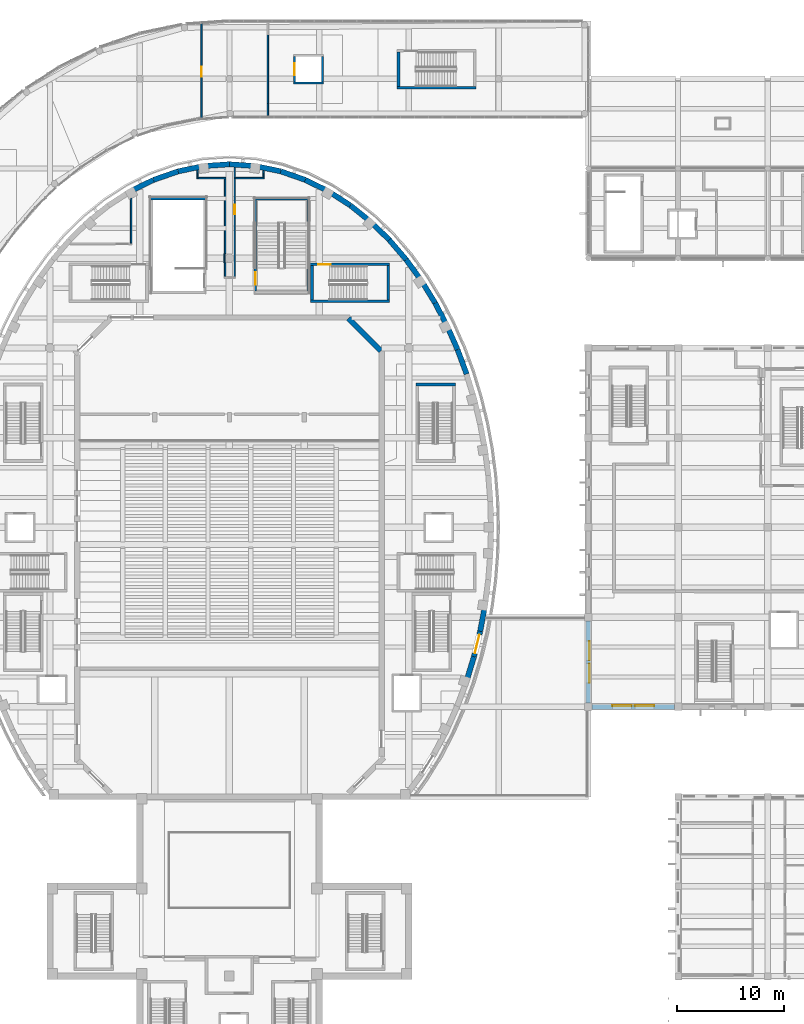
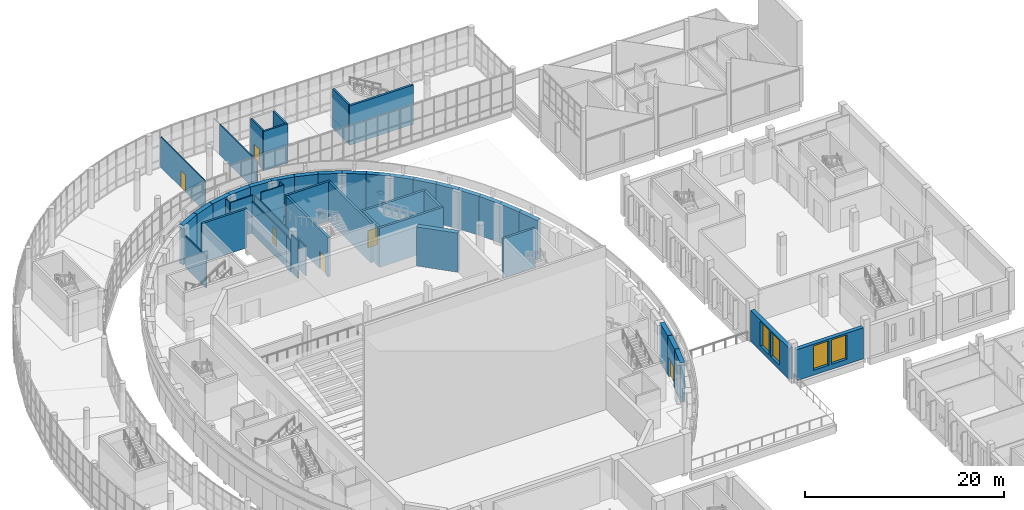
# One storey, part 68 of 119: 49 walls, 6 doors, 4 windows, 10 openings.
"""IFC4 building model written with IfcOpenShell, lengths in metres."""

from ifc_helpers import new_model, si_unit, direction, frame, frame_2d, origin, place, context, subcontext, project, spatial, rectangle, extrude, material, layer, layer_set, type_object, element, fill, save


model = new_model("IFC4")

# Units and contexts
model_context = context("Model", 3, precision=1e-05, world=origin(), true_north=direction((0.0, 1.0)))
body_context = subcontext(model_context, "Body", "Model", "MODEL_VIEW")
ifc_project = project(units=[si_unit("LENGTHUNIT", "METRE"), si_unit("AREAUNIT", "SQUARE_METRE"), si_unit("VOLUMEUNIT", "CUBIC_METRE"), si_unit("PLANEANGLEUNIT", "RADIAN"), si_unit("MASSUNIT", "GRAM", prefix="KILO")], contexts=[model_context])

# Site, building, storey
site_placement = place(None, origin())
site = spatial("IfcSite", under=ifc_project, at=site_placement, CompositionType="ELEMENT")
building_placement = place(site_placement, origin())
building = spatial("IfcBuilding", under=site, at=building_placement, Name="Larchfold Concert Hall", CompositionType="ELEMENT")
storey_placement = place(building_placement, frame((0.0, 0.0, 4.800048828125)))
storey = spatial("IfcBuildingStorey", under=building, at=storey_placement, Name="L01", CompositionType="ELEMENT", Elevation=4.800048828125)

# Wall, openings, windows
ifc_material_1 = material(Name="Charred larch cladding on mineral wool and CLT", Category="wood")
ifc_layer_1 = layer(ifc_material_1, 0.449951171875)
ifc_layer_set_1 = layer_set([ifc_layer_1], Name="Charred larch cladding on mineral wool and CLT")
wall_type_1 = type_object("IfcWallType", Name="Charred larch infill wall 450", PredefinedType="SOLIDWALL", material=ifc_layer_set_1)
wall_1_placement = place(storey_placement, frame((76.199951171875, 75.849853515625, 0.0), z_axis=(0.0, 0.0, 1.0), x_axis=(0.0, -1.0, 0.0)))
wall_1 = element("IfcWall", 1, at=wall_1_placement, inside=storey, type_object=wall_type_1, Name="Infill wall W5084", PredefinedType="SOLIDWALL", context=body_context, shape_type="SweptSolid", body=[
    extrude(rectangle(XDim=7.69970703125, YDim=0.449951171875, at=frame_2d((3.849853515625, 0.0))), origin(), (0.0, 0.0, 1.0), 3.800048828125),
])
opening_1_placement = place(wall_1_placement, frame((3.999755859375, 0.0, 0.60009765625)))
opening_1 = element("IfcOpeningElement", 2, at=opening_1_placement, cuts=wall_1, Name="Opening WN-L01-049", PredefinedType="OPENING", context=body_context, shape_type="SweptSolid", body=[
    extrude(rectangle(XDim=1.800048828125, YDim=3.0, at=frame_2d((0.89990234375, 1.5))), frame((0.0, 0.23486328125, 0.0), z_axis=(0.0, -1.0, 0.0), x_axis=(1.0, 0.0, 0.0)), (0.0, 0.0, 1.0), 0.469970703125),
])
opening_2_placement = place(wall_1_placement, frame((1.89990234375, 0.0, 0.60009765625)))
opening_2 = element("IfcOpeningElement", 3, at=opening_2_placement, cuts=wall_1, Name="Opening WN-L01-050", PredefinedType="OPENING", context=body_context, shape_type="SweptSolid", body=[
    extrude(rectangle(XDim=1.800048828125, YDim=3.0, at=frame_2d((0.89990234375, 1.5))), frame((0.0, 0.23486328125, 0.0), z_axis=(0.0, -1.0, 0.0), x_axis=(1.0, 0.0, 0.0)), (0.0, 0.0, 1.0), 0.469970703125),
])
ifc_material_2 = material(Name="Anodised graphite aluminium frame with glass", Category="aluminium")
window_type = type_object("IfcWindowType", Name="Foyer tall window 1800x3000", PartitioningType="DOUBLE_PANEL_VERTICAL", PredefinedType="WINDOW", material=ifc_material_2)
window_1_placement = place(opening_1_placement, origin())
window_1 = element("IfcWindow", 4, at=window_1_placement, inside=storey, type_object=window_type, Name="Window WN-L01-049", OverallHeight=3.0, OverallWidth=1.800048828125, PartitioningType="DOUBLE_PANEL_VERTICAL", PredefinedType="WINDOW", context=body_context, shape_type="SweptSolid", body=[
    extrude(rectangle(XDim=1.800048828125, YDim=3.0, at=frame_2d((0.89990234375, 1.5))), frame((0.0, 0.135009765625, 0.0), z_axis=(0.0, -1.0, 0.0), x_axis=(1.0, 0.0, 0.0)), (0.0, 0.0, 1.0), 0.06005859375),
])
fill(opening_1, window_1)
window_2_placement = place(opening_2_placement, origin())
window_2 = element("IfcWindow", 5, at=window_2_placement, inside=storey, type_object=window_type, Name="Window WN-L01-050", OverallHeight=3.0, OverallWidth=1.800048828125, PartitioningType="DOUBLE_PANEL_VERTICAL", PredefinedType="WINDOW", context=body_context, shape_type="SweptSolid", body=[
    extrude(rectangle(XDim=1.800048828125, YDim=3.0, at=frame_2d((0.89990234375, 1.5))), frame((0.0, 0.135009765625, 0.0), z_axis=(0.0, -1.0, 0.0), x_axis=(1.0, 0.0, 0.0)), (0.0, 0.0, 1.0), 0.06005859375),
])
fill(opening_2, window_2)

wall_2_placement = place(storey_placement, frame((76.550048828125, 67.800048828125, 0.0), z_axis=(0.0, 0.0, 1.0), x_axis=(1.0, 0.0, 0.0)))
wall_2 = element("IfcWall", 6, at=wall_2_placement, inside=storey, type_object=wall_type_1, Name="Infill wall W5085", PredefinedType="SOLIDWALL", context=body_context, shape_type="SweptSolid", body=[
    extrude(rectangle(XDim=7.699951171875, YDim=0.449951171875, at=frame_2d((3.85009765625, 0.0))), origin(), (0.0, 0.0, 1.0), 3.800048828125),
])
opening_3_placement = place(wall_2_placement, frame((1.89990234375, 0.0, 0.60009765625)))
opening_3 = element("IfcOpeningElement", 7, at=opening_3_placement, cuts=wall_2, Name="Opening WN-L01-051", PredefinedType="OPENING", context=body_context, shape_type="SweptSolid", body=[
    extrude(rectangle(XDim=1.800048828125, YDim=3.0, at=frame_2d((0.89990234375, 1.5))), frame((0.0, 0.23486328125, 0.0), z_axis=(0.0, -1.0, 0.0), x_axis=(1.0, 0.0, 0.0)), (0.0, 0.0, 1.0), 0.469970703125),
])
opening_4_placement = place(wall_2_placement, frame((4.0, 0.0, 0.60009765625)))
opening_4 = element("IfcOpeningElement", 8, at=opening_4_placement, cuts=wall_2, Name="Opening WN-L01-052", PredefinedType="OPENING", context=body_context, shape_type="SweptSolid", body=[
    extrude(rectangle(XDim=1.800048828125, YDim=3.0, at=frame_2d((0.89990234375, 1.5))), frame((0.0, 0.23486328125, 0.0), z_axis=(0.0, -1.0, 0.0), x_axis=(1.0, 0.0, 0.0)), (0.0, 0.0, 1.0), 0.469970703125),
])
window_3_placement = place(opening_3_placement, origin())
window_3 = element("IfcWindow", 9, at=window_3_placement, inside=storey, type_object=window_type, Name="Window WN-L01-051", OverallHeight=3.0, OverallWidth=1.800048828125, PartitioningType="DOUBLE_PANEL_VERTICAL", PredefinedType="WINDOW", context=body_context, shape_type="SweptSolid", body=[
    extrude(rectangle(XDim=1.800048828125, YDim=3.0, at=frame_2d((0.89990234375, 1.5))), frame((0.0, 0.135009765625, 0.0), z_axis=(0.0, -1.0, 0.0), x_axis=(1.0, 0.0, 0.0)), (0.0, 0.0, 1.0), 0.06005859375),
])
fill(opening_3, window_3)
window_4_placement = place(opening_4_placement, origin())
window_4 = element("IfcWindow", 10, at=window_4_placement, inside=storey, type_object=window_type, Name="Window WN-L01-052", OverallHeight=3.0, OverallWidth=1.800048828125, PartitioningType="DOUBLE_PANEL_VERTICAL", PredefinedType="WINDOW", context=body_context, shape_type="SweptSolid", body=[
    extrude(rectangle(XDim=1.800048828125, YDim=3.0, at=frame_2d((0.89990234375, 1.5))), frame((0.0, 0.135009765625, 0.0), z_axis=(0.0, -1.0, 0.0), x_axis=(1.0, 0.0, 0.0)), (0.0, 0.0, 1.0), 0.06005859375),
])
fill(opening_4, window_4)

# Walls
ifc_material_3 = material(Name="Plasterboard partition on steel studs", Category="steel")
ifc_layer_2 = layer(ifc_material_3, 0.125)
ifc_layer_set_2 = layer_set([ifc_layer_2], Name="Plasterboard partition on steel studs")
wall_type_2 = type_object("IfcWallType", Name="Corridor partition 125 EI 60", PredefinedType="PARTITIONING", material=ifc_layer_set_2)
wall_3_placement = place(storey_placement, frame((33.39599609375, 111.21337890625, 0.0), z_axis=(0.0, 0.0, 1.0), x_axis=(0.001102983191, 0.999999391714, 0.0)))
element("IfcWall", 11, at=wall_3_placement, inside=storey, type_object=wall_type_2, Name="Partition IW0007", PredefinedType="PARTITIONING", context=body_context, shape_type="SweptSolid", body=[
    extrude(rectangle(XDim=4.20556640625, YDim=0.125, at=frame_2d((2.102783203125, 0.0))), origin(), (0.0, 0.0, 1.0), 3.89990234375),
])
wall_4_placement = place(storey_placement, frame((39.60107421875, 118.049072265625, 0.0), z_axis=(0.0, 0.0, 1.0), x_axis=(0.009314499757, -0.999956619106, 0.0)))
element("IfcWall", 12, at=wall_4_placement, inside=storey, type_object=wall_type_2, Name="Partition IW0008", PredefinedType="PARTITIONING", context=body_context, shape_type="SweptSolid", body=[
    extrude(rectangle(XDim=0.8125, YDim=0.125, at=frame_2d((0.40625, 0.0))), origin(), (0.0, 0.0, 1.0), 4.599853515625),
])
wall_5_placement = place(storey_placement, frame((39.67041015625, 117.299072265625, 0.0), z_axis=(0.0, 0.0, 1.0), x_axis=(1.0, 0.0, 0.0)))
element("IfcWall", 13, at=wall_5_placement, inside=storey, type_object=wall_type_2, Name="Partition IW0009", PredefinedType="PARTITIONING", context=body_context, shape_type="SweptSolid", body=[
    extrude(rectangle(XDim=2.591064453125, YDim=0.125, at=frame_2d((1.29541015625, 0.0))), origin(), (0.0, 0.0, 1.0), 4.599853515625),
])
wall_6_placement = place(storey_placement, frame((42.198974609375, 117.236572265625, 0.0), z_axis=(0.0, 0.0, 1.0), x_axis=(0.0, -1.0, 0.0)))
element("IfcWall", 14, at=wall_6_placement, inside=storey, type_object=wall_type_2, Name="Partition IW0010", PredefinedType="PARTITIONING", context=body_context, shape_type="SweptSolid", body=[
    extrude(rectangle(XDim=7.0166015625, YDim=0.125, at=frame_2d((3.50830078125, 0.0))), origin(), (0.0, 0.0, 1.0), 3.89990234375),
])
wall_7_placement = place(storey_placement, frame((42.198974609375, 109.380126953125, 0.0), z_axis=(0.0, 0.0, 1.0), x_axis=(0.0, -1.0, 0.0)))
element("IfcWall", 15, at=wall_7_placement, inside=storey, type_object=wall_type_2, Name="Partition IW0011", PredefinedType="PARTITIONING", context=body_context, shape_type="SweptSolid", body=[
    extrude(rectangle(XDim=1.30859375, YDim=0.125, at=frame_2d((0.654296875, 0.0))), origin(), (0.0, 0.0, 1.0), 4.599853515625),
])

# Wall, opening, door
wall_8_placement = place(storey_placement, frame((43.093994140625, 108.0634765625, 0.0), z_axis=(0.0, 0.0, 1.0), x_axis=(0.000762467314, 0.999999709322, 0.0)))
wall_8 = element("IfcWall", 16, at=wall_8_placement, inside=storey, type_object=wall_type_2, Name="Partition IW0013", PredefinedType="PARTITIONING", context=body_context, shape_type="SweptSolid", body=[
    extrude(rectangle(XDim=10.246337890625, YDim=0.125, at=frame_2d((5.123046875, 0.0))), origin(), (0.0, 0.0, 1.0), 3.599853515625),
])
opening_5_placement = place(wall_8_placement, frame((5.839599609375, 0.0, 0.0)))
opening_5 = element("IfcOpeningElement", 17, at=opening_5_placement, cuts=wall_8, Name="Opening D-L01-114", PredefinedType="OPENING", context=body_context, shape_type="SweptSolid", body=[
    extrude(rectangle(XDim=0.89990234375, YDim=2.10009765625, at=frame_2d((0.449951171875, 1.050048828125))), frame((0.0, 0.072509765625, 0.0), z_axis=(0.0, -1.0, 0.0), x_axis=(1.0, 0.0, 0.0)), (0.0, 0.0, 1.0), 0.14501953125),
])
ifc_material_4 = material(Name="Timber door leaf", Category="wood")
door_type_1 = type_object("IfcDoorType", Name="Public toilet door 900 x 2100 FD30S", OperationType="SINGLE_SWING_LEFT", PredefinedType="DOOR", material=ifc_material_4)
door_1_placement = place(opening_5_placement, origin())
door_1 = element("IfcDoor", 18, at=door_1_placement, inside=storey, type_object=door_type_1, Name="Door D-L01-114", OperationType="SINGLE_SWING_LEFT", OverallHeight=2.10009765625, OverallWidth=0.89990234375, PredefinedType="DOOR", context=body_context, shape_type="SweptSolid", body=[
    extrude(rectangle(XDim=0.89990234375, YDim=2.10009765625, at=frame_2d((0.449951171875, 1.050048828125))), frame((0.0, 0.02490234375, 0.0), z_axis=(0.0, -1.0, 0.0), x_axis=(1.0, 0.0, 0.0)), (0.0, 0.0, 1.0), 0.050048828125),
])
fill(opening_5, door_1)

# Walls
wall_9_placement = place(storey_placement, frame((43.16357421875, 117.299072265625, 0.0), z_axis=(0.0, 0.0, 1.0), x_axis=(1.0, 0.0, 0.0)))
element("IfcWall", 19, at=wall_9_placement, inside=storey, type_object=wall_type_2, Name="Partition IW0014", PredefinedType="PARTITIONING", context=body_context, shape_type="SweptSolid", body=[
    extrude(rectangle(XDim=2.69091796875, YDim=0.125, at=frame_2d((1.345458984375, 0.0))), origin(), (0.0, 0.0, 1.0), 4.599853515625),
])
wall_10_placement = place(storey_placement, frame((45.792724609375, 117.361572265625, 0.0), z_axis=(0.0, 0.0, 1.0), x_axis=(0.010967570264, 0.999939854393, 0.0)))
element("IfcWall", 20, at=wall_10_placement, inside=storey, type_object=wall_type_2, Name="Partition IW0015", PredefinedType="PARTITIONING", context=body_context, shape_type="SweptSolid", body=[
    extrude(rectangle(XDim=0.6455078125, YDim=0.125, at=frame_2d((0.32275390625, 0.0))), origin(), (0.0, 0.0, 1.0), 4.599853515625),
])
wall_11_placement = place(storey_placement, frame((46.199951171875, 130.73095703125, 0.0), z_axis=(0.0, 0.0, 1.0), x_axis=(0.0, -1.0, 0.0)))
element("IfcWall", 21, at=wall_11_placement, inside=storey, type_object=wall_type_2, Name="Partition IW0150", PredefinedType="PARTITIONING", context=body_context, shape_type="SweptSolid", body=[
    extrude(rectangle(XDim=6.4619140625, YDim=0.125, at=frame_2d((3.23095703125, 0.0))), origin(), (0.0, 0.0, 1.0), 3.75),
])
wall_12_placement = place(storey_placement, frame((46.199951171875, 124.26611328125, 0.0), z_axis=(0.0, 0.0, 1.0), x_axis=(0.0, -1.0, 0.0)))
element("IfcWall", 22, at=wall_12_placement, inside=storey, type_object=wall_type_2, Name="Partition IW0152", PredefinedType="PARTITIONING", context=body_context, shape_type="SweptSolid", body=[
    extrude(rectangle(XDim=1.1162109375, YDim=0.125, at=frame_2d((0.55810546875, 0.0))), origin(), (0.0, 0.0, 1.0), 3.75),
])

# Wall, opening, door
wall_13_placement = place(storey_placement, frame((40.0, 122.91162109375, 0.0), z_axis=(0.0, 0.0, 1.0), x_axis=(0.0, 1.0, 0.0)))
wall_13 = element("IfcWall", 23, at=wall_13_placement, inside=storey, type_object=wall_type_2, Name="Partition IW0153", PredefinedType="PARTITIONING", context=body_context, shape_type="SweptSolid", body=[
    extrude(rectangle(XDim=8.86083984375, YDim=0.125, at=frame_2d((4.430419921875, 0.0))), origin(), (0.0, 0.0, 1.0), 3.75),
])
opening_6_placement = place(wall_13_placement, frame((3.901123046875, 0.0, 0.0)))
opening_6 = element("IfcOpeningElement", 24, at=opening_6_placement, cuts=wall_13, Name="Opening D-L01-158", PredefinedType="OPENING", context=body_context, shape_type="SweptSolid", body=[
    extrude(rectangle(XDim=0.89990234375, YDim=2.10009765625, at=frame_2d((0.449951171875, 1.050048828125))), frame((0.0, 0.072509765625, 0.0), z_axis=(0.0, -1.0, 0.0), x_axis=(1.0, 0.0, 0.0)), (0.0, 0.0, 1.0), 0.14501953125),
])
door_2_placement = place(opening_6_placement, origin())
door_2 = element("IfcDoor", 25, at=door_2_placement, inside=storey, type_object=door_type_1, Name="Door D-L01-158", OperationType="SINGLE_SWING_RIGHT", OverallHeight=2.10009765625, OverallWidth=0.89990234375, PredefinedType="DOOR", context=body_context, shape_type="SweptSolid", body=[
    extrude(rectangle(XDim=0.89990234375, YDim=2.10009765625, at=frame_2d((0.449951171875, 1.050048828125))), frame((0.0, 0.02490234375, 0.0), z_axis=(0.0, -1.0, 0.0), x_axis=(1.0, 0.0, 0.0)), (0.0, 0.0, 1.0), 0.050048828125),
])
fill(opening_6, door_2)

# Walls
wall_14_placement = place(storey_placement, frame((42.134033203125, 110.219970703125, 0.0), z_axis=(0.0, 0.0, 1.0), x_axis=(0.0, -1.0, 0.0)))
element("IfcWall", 26, at=wall_14_placement, inside=storey, type_object=wall_type_2, Name="Partition IW0154", PredefinedType="PARTITIONING", context=body_context, shape_type="SweptSolid", body=[
    extrude(rectangle(XDim=0.83984375, YDim=0.125, at=frame_2d((0.419921875, 0.0))), origin(), (0.0, 0.0, 1.0), 3.89990234375),
])
ifc_material_5 = material(Name="Concrete C40/50", Category="concrete")
ifc_layer_3 = layer(ifc_material_5, 0.199951171875)
ifc_layer_set_3 = layer_set([ifc_layer_3], Name="Concrete C40/50")
wall_type_3 = type_object("IfcWallType", Name="Wall RC 200 lift shaft", PredefinedType="SOLIDWALL", material=ifc_layer_set_3)
wall_15_placement = place(storey_placement, frame((48.60009765625, 126.2001953125, 0.0), z_axis=(0.0, 0.0, 1.0), x_axis=(1.0, 0.0, 0.0)))
element("IfcWall", 27, at=wall_15_placement, inside=storey, type_object=wall_type_3, Name="Wall W0192", PredefinedType="SOLIDWALL", context=body_context, shape_type="SweptSolid", body=[
    extrude(rectangle(XDim=2.7998046875, YDim=0.199951171875, at=frame_2d((1.39990234375, 0.0))), origin(), (0.0, 0.0, 1.0), 4.800048828125),
])

# Wall, opening, door
wall_16_placement = place(storey_placement, frame((48.7001953125, 126.300048828125, 0.0), z_axis=(0.0, 0.0, 1.0), x_axis=(0.0, 1.0, 0.0)))
wall_16 = element("IfcWall", 28, at=wall_16_placement, inside=storey, type_object=wall_type_3, Name="Wall W0194", PredefinedType="SOLIDWALL", context=body_context, shape_type="SweptSolid", body=[
    extrude(rectangle(XDim=2.39990234375, YDim=0.199951171875, at=frame_2d((1.199951171875, 0.0))), origin(), (0.0, 0.0, 1.0), 4.800048828125),
])
opening_7_placement = place(wall_16_placement, frame((0.64990234375, 0.0, 0.0)))
opening_7 = element("IfcOpeningElement", 29, at=opening_7_placement, cuts=wall_16, Name="Opening LD-LF13", PredefinedType="OPENING", context=body_context, shape_type="SweptSolid", body=[
    extrude(rectangle(XDim=1.10009765625, YDim=2.10009765625, at=frame_2d((0.550048828125, 1.050048828125))), frame((0.0, 0.10986328125, 0.0), z_axis=(0.0, -1.0, 0.0), x_axis=(1.0, 0.0, 0.0)), (0.0, 0.0, 1.0), 0.219970703125),
])
ifc_material_6 = material(Name="Stainless steel sliding leaves", Category="steel")
door_type_2 = type_object("IfcDoorType", Name="Lift landing door sliding 1100 x 2100", OperationType="SLIDING_TO_LEFT", PredefinedType="DOOR", material=ifc_material_6)
door_3_placement = place(opening_7_placement, origin())
door_3 = element("IfcDoor", 30, at=door_3_placement, inside=storey, type_object=door_type_2, Name="Lift landing door LF13", OperationType="SLIDING_TO_LEFT", OverallHeight=2.10009765625, OverallWidth=1.10009765625, PredefinedType="DOOR", context=body_context, shape_type="SweptSolid", body=[
    extrude(rectangle(XDim=1.10009765625, YDim=2.10009765625, at=frame_2d((0.550048828125, 1.050048828125))), frame((0.0, 0.02490234375, 0.0), z_axis=(0.0, -1.0, 0.0), x_axis=(1.0, 0.0, 0.0)), (0.0, 0.0, 1.0), 0.050048828125),
])
fill(opening_7, door_3)

# Walls
wall_17_placement = place(storey_placement, frame((51.2998046875, 126.300048828125, 0.0), z_axis=(0.0, 0.0, 1.0), x_axis=(0.0, 1.0, 0.0)))
element("IfcWall", 31, at=wall_17_placement, inside=storey, type_object=wall_type_3, Name="Wall W0195", PredefinedType="SOLIDWALL", context=body_context, shape_type="SweptSolid", body=[
    extrude(rectangle(XDim=2.39990234375, YDim=0.199951171875, at=frame_2d((1.199951171875, 0.0))), origin(), (0.0, 0.0, 1.0), 4.800048828125),
])
ifc_material_7 = material(Name="Concrete C40/50", Category="concrete")
ifc_layer_4 = layer(ifc_material_7, 0.25)
ifc_layer_set_4 = layer_set([ifc_layer_4], Name="Concrete C40/50")
wall_type_4 = type_object("IfcWallType", Name="Wall RC 250 stair core", PredefinedType="SOLIDWALL", material=ifc_layer_set_4)
wall_18_placement = place(storey_placement, frame((60.050048828125, 97.97509765625, 0.0), z_axis=(0.0, 0.0, 1.0), x_axis=(1.0, 0.0, 0.0)))
element("IfcWall", 32, at=wall_18_placement, inside=storey, type_object=wall_type_4, Name="Wall W0033", PredefinedType="SOLIDWALL", context=body_context, shape_type="SweptSolid", body=[
    extrude(rectangle(XDim=3.699951171875, YDim=0.25, at=frame_2d((1.85009765625, 0.0))), origin(), (0.0, 0.0, 1.0), 4.800048828125),
])
wall_19_placement = place(storey_placement, frame((50.199951171875, 105.77490234375, 0.0), z_axis=(0.0, 0.0, 1.0), x_axis=(1.0, 0.0, 0.0)))
element("IfcWall", 33, at=wall_19_placement, inside=storey, type_object=wall_type_4, Name="Wall W0036", PredefinedType="SOLIDWALL", context=body_context, shape_type="SweptSolid", body=[
    extrude(rectangle(XDim=7.400146484375, YDim=0.25, at=frame_2d((3.7001953125, 0.0))), origin(), (0.0, 0.0, 1.0), 4.800048828125),
])

# Wall, opening, door
wall_20_placement = place(storey_placement, frame((50.10009765625, 109.22509765625, 0.0), z_axis=(0.0, 0.0, 1.0), x_axis=(1.0, 0.0, 0.0)))
wall_20 = element("IfcWall", 34, at=wall_20_placement, inside=storey, type_object=wall_type_4, Name="Wall W0037", PredefinedType="SOLIDWALL", context=body_context, shape_type="SweptSolid", body=[
    extrude(rectangle(XDim=7.5, YDim=0.25, at=frame_2d((3.75, 0.0))), origin(), (0.0, 0.0, 1.0), 4.800048828125),
])
opening_8_placement = place(wall_20_placement, frame((0.80029296875, 0.0, 0.0)))
opening_8 = element("IfcOpeningElement", 35, at=opening_8_placement, cuts=wall_20, Name="Opening D-L01-166", PredefinedType="OPENING", context=body_context, shape_type="SweptSolid", body=[
    extrude(rectangle(XDim=1.199951171875, YDim=2.10009765625, at=frame_2d((0.60009765625, 1.050048828125))), frame((0.0, 0.135009765625, 0.0), z_axis=(0.0, -1.0, 0.0), x_axis=(1.0, 0.0, 0.0)), (0.0, 0.0, 1.0), 0.27001953125),
])
ifc_material_8 = material(Name="Timber door leaf", Category="wood")
door_type_3 = type_object("IfcDoorType", Name="Stair enclosure door pair 1200 x 2100 FD60", OperationType="SINGLE_SWING_LEFT", PredefinedType="DOOR", material=ifc_material_8)
door_4_placement = place(opening_8_placement, origin())
door_4 = element("IfcDoor", 36, at=door_4_placement, inside=storey, type_object=door_type_3, Name="Door D-L01-166", OperationType="DOUBLE_DOOR_SINGLE_SWING", OverallHeight=2.10009765625, OverallWidth=1.199951171875, PredefinedType="DOOR", context=body_context, shape_type="SweptSolid", body=[
    extrude(rectangle(XDim=1.199951171875, YDim=2.10009765625, at=frame_2d((0.60009765625, 1.050048828125))), frame((0.0, 0.02490234375, 0.0), z_axis=(0.0, -1.0, 0.0), x_axis=(1.0, 0.0, 0.0)), (0.0, 0.0, 1.0), 0.050048828125),
])
fill(opening_8, door_4)

# Walls
for number, where, z_axis, x_axis, name in (
    (37, (50.324951171875, 105.89990234375, 0.0), (0.0, 0.0, 1.0), (0.0, 1.0, 0.0), "Wall W0038"),
    (38, (57.47509765625, 105.89990234375, 0.0), (0.0, 0.0, 1.0), (0.0, 1.0, 0.0), "Wall W0039"),
):
    element("IfcWall", number, at=place(storey_placement, frame(where, z_axis=z_axis, x_axis=x_axis)), inside=storey, type_object=wall_type_4, Name=name, PredefinedType="SOLIDWALL", context=body_context, shape_type="SweptSolid", body=[
        extrude(rectangle(XDim=3.2001953125, YDim=0.25, at=frame_2d((1.60009765625, 0.0))), origin(), (0.0, 0.0, 1.0), 4.800048828125),
    ])
wall_21_placement = place(storey_placement, frame((58.300048828125, 125.77490234375, 0.0), z_axis=(0.0, 0.0, 1.0), x_axis=(1.0, 0.0, 0.0)))
element("IfcWall", 39, at=wall_21_placement, inside=storey, type_object=wall_type_4, Name="Wall W0132", PredefinedType="SOLIDWALL", context=body_context, shape_type="SweptSolid", body=[
    extrude(rectangle(XDim=7.39990234375, YDim=0.25, at=frame_2d((3.699951171875, 0.0))), origin(), (0.0, 0.0, 1.0), 4.800048828125),
])
wall_22_placement = place(storey_placement, frame((58.425048828125, 125.89990234375, 0.0), z_axis=(0.0, 0.0, 1.0), x_axis=(0.0, 1.0, 0.0)))
element("IfcWall", 40, at=wall_22_placement, inside=storey, type_object=wall_type_4, Name="Wall W0134", PredefinedType="SOLIDWALL", context=body_context, shape_type="SweptSolid", body=[
    extrude(rectangle(XDim=3.2001953125, YDim=0.25, at=frame_2d((1.60009765625, 0.0))), origin(), (0.0, 0.0, 1.0), 4.800048828125),
])
wall_23_placement = place(storey_placement, frame((35.199951171875, 115.375, 0.0), z_axis=(0.0, 0.0, 1.0), x_axis=(1.0, 0.0, 0.0)))
element("IfcWall", 41, at=wall_23_placement, inside=storey, type_object=wall_type_4, Name="Wall W0137", PredefinedType="SOLIDWALL", context=body_context, shape_type="SweptSolid", body=[
    extrude(rectangle(XDim=5.199951171875, YDim=0.25, at=frame_2d((2.60009765625, 0.0))), origin(), (0.0, 0.0, 1.0), 4.800048828125),
])
wall_24_placement = place(storey_placement, frame((44.89990234375, 115.375, 0.0), z_axis=(0.0, 0.0, 1.0), x_axis=(1.0, 0.0, 0.0)))
element("IfcWall", 42, at=wall_24_placement, inside=storey, type_object=wall_type_4, Name="Wall W0141", PredefinedType="SOLIDWALL", context=body_context, shape_type="SweptSolid", body=[
    extrude(rectangle(XDim=5.2001953125, YDim=0.25, at=frame_2d((2.60009765625, 0.0))), origin(), (0.0, 0.0, 1.0), 4.800048828125),
])

# Wall, opening, door
wall_25_placement = place(storey_placement, frame((45.02490234375, 106.75, 0.0), z_axis=(0.0, 0.0, 1.0), x_axis=(0.0, 1.0, 0.0)))
wall_25 = element("IfcWall", 43, at=wall_25_placement, inside=storey, type_object=wall_type_4, Name="Wall W0142", PredefinedType="SOLIDWALL", context=body_context, shape_type="SweptSolid", body=[
    extrude(rectangle(XDim=8.5, YDim=0.25, at=frame_2d((4.25, 0.0))), origin(), (0.0, 0.0, 1.0), 4.800048828125),
])
opening_9_placement = place(wall_25_placement, frame((0.55029296875, 0.0, 0.0)))
opening_9 = element("IfcOpeningElement", 44, at=opening_9_placement, cuts=wall_25, Name="Opening D-L01-168", PredefinedType="OPENING", context=body_context, shape_type="SweptSolid", body=[
    extrude(rectangle(XDim=1.199951171875, YDim=2.10009765625, at=frame_2d((0.60009765625, 1.050048828125))), frame((0.0, 0.135009765625, 0.0), z_axis=(0.0, -1.0, 0.0), x_axis=(1.0, 0.0, 0.0)), (0.0, 0.0, 1.0), 0.27001953125),
])
door_5_placement = place(opening_9_placement, origin())
door_5 = element("IfcDoor", 45, at=door_5_placement, inside=storey, type_object=door_type_3, Name="Door D-L01-168", OperationType="DOUBLE_DOOR_SINGLE_SWING", OverallHeight=2.10009765625, OverallWidth=1.199951171875, PredefinedType="DOOR", context=body_context, shape_type="SweptSolid", body=[
    extrude(rectangle(XDim=1.199951171875, YDim=2.10009765625, at=frame_2d((0.60009765625, 1.050048828125))), frame((0.0, 0.02490234375, 0.0), z_axis=(0.0, -1.0, 0.0), x_axis=(1.0, 0.0, 0.0)), (0.0, 0.0, 1.0), 0.050048828125),
])
fill(opening_9, door_5)

# Walls
wall_26_placement = place(storey_placement, frame((49.97509765625, 106.75, 0.0), z_axis=(0.0, 0.0, 1.0), x_axis=(0.0, 1.0, 0.0)))
element("IfcWall", 46, at=wall_26_placement, inside=storey, type_object=wall_type_4, Name="Wall W0143", PredefinedType="SOLIDWALL", context=body_context, shape_type="SweptSolid", body=[
    extrude(rectangle(XDim=8.5, YDim=0.25, at=frame_2d((4.25, 0.0))), origin(), (0.0, 0.0, 1.0), 4.800048828125),
])
ifc_material_9 = material(Name="Concrete C30/37", Category="concrete")
ifc_layer_5 = layer(ifc_material_9, 0.5)
ifc_layer_set_5 = layer_set([ifc_layer_5], Name="Concrete C30/37")
wall_type_5 = type_object("IfcWallType", Name="Wall RC 500 drum facade", PredefinedType="SOLIDWALL", material=ifc_layer_set_5)
wall_27_placement = place(storey_placement, frame((64.8076171875, 98.960205078125, 0.0), z_axis=(0.0, 0.0, 1.0), x_axis=(-0.346579149604, 0.938020731679, 0.0)))
element("IfcWall", 47, at=wall_27_placement, inside=storey, type_object=wall_type_5, Name="Wall DW007", PredefinedType="SOLIDWALL", context=body_context, shape_type="SweptSolid", body=[
    extrude(rectangle(XDim=2.433837890625, YDim=0.5, at=frame_2d((1.216796875, 0.0))), origin(), (0.0, 0.0, 1.0), 4.800048828125),
])
wall_28_placement = place(storey_placement, frame((63.964111328125, 101.2431640625, 0.0), z_axis=(0.0, 0.0, 1.0), x_axis=(-0.404089673612, 0.914719375371, 0.0)))
element("IfcWall", 48, at=wall_28_placement, inside=storey, type_object=wall_type_5, Name="Wall DW008", PredefinedType="SOLIDWALL", context=body_context, shape_type="SweptSolid", body=[
    extrude(rectangle(XDim=2.43359375, YDim=0.5, at=frame_2d((1.216796875, 0.0))), origin(), (0.0, 0.0, 1.0), 4.800048828125),
])
wall_29_placement = place(storey_placement, frame((62.980712890625, 103.46923828125, 0.0), z_axis=(0.0, 0.0, 1.0), x_axis=(-0.463152141842, 0.886278789945, 0.0)))
element("IfcWall", 49, at=wall_29_placement, inside=storey, type_object=wall_type_5, Name="Wall DW009", PredefinedType="SOLIDWALL", context=body_context, shape_type="SweptSolid", body=[
    extrude(rectangle(XDim=2.433837890625, YDim=0.5, at=frame_2d((1.216796875, 0.0))), origin(), (0.0, 0.0, 1.0), 4.800048828125),
])
wall_30_placement = place(storey_placement, frame((61.853515625, 105.626220703125, 0.0), z_axis=(0.0, 0.0, 1.0), x_axis=(-0.524097425664, 0.851658316705, 0.0)))
element("IfcWall", 50, at=wall_30_placement, inside=storey, type_object=wall_type_5, Name="Wall DW010", PredefinedType="SOLIDWALL", context=body_context, shape_type="SweptSolid", body=[
    extrude(rectangle(XDim=2.43359375, YDim=0.5, at=frame_2d((1.216796875, 0.0))), origin(), (0.0, 0.0, 1.0), 4.800048828125),
])
wall_31_placement = place(storey_placement, frame((60.578125, 107.69873046875, 0.0), z_axis=(0.0, 0.0, 1.0), x_axis=(-0.586643688245, 0.809845159918, 0.0)))
element("IfcWall", 51, at=wall_31_placement, inside=storey, type_object=wall_type_5, Name="Wall DW011", PredefinedType="SOLIDWALL", context=body_context, shape_type="SweptSolid", body=[
    extrude(rectangle(XDim=2.433837890625, YDim=0.5, at=frame_2d((1.216796875, 0.0))), origin(), (0.0, 0.0, 1.0), 4.800048828125),
])
for number, where, z_axis, x_axis, name in (
    (52, (59.150390625, 109.669677734375, 0.0), (0.0, 0.0, 1.0), (-0.650526940133, 0.759483179643, 0.0), "Wall DW012"),
    (53, (57.5673828125, 111.517822265625, 0.0), (0.0, 0.0, 1.0), (-0.71498883591, 0.69913586986, 0.0), "Wall DW013"),
):
    element("IfcWall", number, at=place(storey_placement, frame(where, z_axis=z_axis, x_axis=x_axis)), inside=storey, type_object=wall_type_5, Name=name, PredefinedType="SOLIDWALL", context=body_context, shape_type="SweptSolid", body=[
        extrude(rectangle(XDim=2.433349609375, YDim=0.5, at=frame_2d((1.216796875, 0.0))), origin(), (0.0, 0.0, 1.0), 4.800048828125),
    ])
wall_32_placement = place(storey_placement, frame((55.82763671875, 113.218994140625, 0.0), z_axis=(0.0, 0.0, 1.0), x_axis=(-0.779015271296, 0.627004949811, 0.0)))
element("IfcWall", 54, at=wall_32_placement, inside=storey, type_object=wall_type_5, Name="Wall DW014", PredefinedType="SOLIDWALL", context=body_context, shape_type="SweptSolid", body=[
    extrude(rectangle(XDim=2.43310546875, YDim=0.5, at=frame_2d((1.216552734375, 0.0))), origin(), (0.0, 0.0, 1.0), 4.800048828125),
])
wall_33_placement = place(storey_placement, frame((53.93212890625, 114.74462890625, 0.0), z_axis=(0.0, 0.0, 1.0), x_axis=(-0.840519246372, 0.541781687101, 0.0)))
element("IfcWall", 55, at=wall_33_placement, inside=storey, type_object=wall_type_5, Name="Wall DW015", PredefinedType="SOLIDWALL", context=body_context, shape_type="SweptSolid", body=[
    extrude(rectangle(XDim=2.432861328125, YDim=0.5, at=frame_2d((1.21630859375, 0.0))), origin(), (0.0, 0.0, 1.0), 4.800048828125),
])
for number, where, z_axis, x_axis, name in (
    (56, (51.88720703125, 116.062744140625, 0.0), (0.0, 0.0, 1.0), (-0.896822873966, 0.442389797274, 0.0), "Wall DW016"),
    (57, (49.70556640625, 117.138916015625, 0.0), (0.0, 0.0, 1.0), (-0.944373524566, 0.328874818279, 0.0), "Wall DW017"),
):
    element("IfcWall", number, at=place(storey_placement, frame(where, z_axis=z_axis, x_axis=x_axis)), inside=storey, type_object=wall_type_5, Name=name, PredefinedType="SOLIDWALL", context=body_context, shape_type="SweptSolid", body=[
        extrude(rectangle(XDim=2.4326171875, YDim=0.5, at=frame_2d((1.21630859375, 0.0))), origin(), (0.0, 0.0, 1.0), 4.800048828125),
    ])
for number, where, z_axis, x_axis, name in (
    (58, (47.408203125, 117.93896484375, 0.0), (0.0, 0.0, 1.0), (-0.979166233049, 0.203060306454, 0.0), "Wall DW018"),
    (59, (45.026611328125, 118.432861328125, 0.0), (0.0, 0.0, 1.0), (-0.997633415899, 0.068757308571, 0.0), "Wall DW019"),
    (60, (42.60009765625, 118.60009765625, 0.0), (0.0, 0.0, 1.0), (-0.997633415899, -0.068757308571, 0.0), "Wall DW020"),
    (61, (40.173583984375, 118.432861328125, 0.0), (0.0, 0.0, 1.0), (-0.979166233049, -0.203060306454, 0.0), "Wall DW021"),
):
    element("IfcWall", number, at=place(storey_placement, frame(where, z_axis=z_axis, x_axis=x_axis)), inside=storey, type_object=wall_type_5, Name=name, PredefinedType="SOLIDWALL", context=body_context, shape_type="SweptSolid", body=[
        extrude(rectangle(XDim=2.432373046875, YDim=0.5, at=frame_2d((1.21630859375, 0.0))), origin(), (0.0, 0.0, 1.0), 4.800048828125),
    ])
for number, where, z_axis, x_axis, name in (
    (62, (37.7919921875, 117.93896484375, 0.0), (0.0, 0.0, 1.0), (-0.944373524566, -0.328874818279, 0.0), "Wall DW022"),
    (63, (35.49462890625, 117.138916015625, 0.0), (0.0, 0.0, 1.0), (-0.896822873966, -0.442389797274, 0.0), "Wall DW023"),
):
    element("IfcWall", number, at=place(storey_placement, frame(where, z_axis=z_axis, x_axis=x_axis)), inside=storey, type_object=wall_type_5, Name=name, PredefinedType="SOLIDWALL", context=body_context, shape_type="SweptSolid", body=[
        extrude(rectangle(XDim=2.4326171875, YDim=0.5, at=frame_2d((1.21630859375, 0.0))), origin(), (0.0, 0.0, 1.0), 4.800048828125),
    ])
wall_34_placement = place(storey_placement, frame((64.778564453125, 70.154052734375, 0.0), z_axis=(0.0, 0.0, 1.0), x_axis=(0.29250219685, 0.95626485078, 0.0)))
element("IfcWall", 64, at=wall_34_placement, inside=storey, type_object=wall_type_5, Name="Wall DW056", PredefinedType="SOLIDWALL", context=body_context, shape_type="SweptSolid", body=[
    extrude(rectangle(XDim=2.448974609375, YDim=0.5, at=frame_2d((1.224609375, 0.0))), origin(), (0.0, 0.0, 1.0), 4.800048828125),
])

# Wall, opening, door
wall_35_placement = place(storey_placement, frame((65.494873046875, 72.495849609375, 0.0), z_axis=(0.0, 0.0, 1.0), x_axis=(0.237465633216, 0.971395940408, 0.0)))
wall_35 = element("IfcWall", 65, at=wall_35_placement, inside=storey, type_object=wall_type_5, Name="Wall DW057", PredefinedType="SOLIDWALL", context=body_context, shape_type="SweptSolid", body=[
    extrude(rectangle(XDim=2.448974609375, YDim=0.5, at=frame_2d((1.224609375, 0.0))), origin(), (0.0, 0.0, 1.0), 4.800048828125),
])
opening_10_placement = place(wall_35_placement, frame((0.324462890625, 0.0, 0.0)))
opening_10 = element("IfcOpeningElement", 66, at=opening_10_placement, cuts=wall_35, Name="Opening D-L01-202", PredefinedType="OPENING", context=body_context, shape_type="SweptSolid", body=[
    extrude(rectangle(XDim=1.800048828125, YDim=2.39990234375, at=frame_2d((0.89990234375, 1.199951171875))), frame((0.0, 0.260009765625, 0.0), z_axis=(0.0, -1.0, 0.0), x_axis=(1.0, 0.0, 0.0)), (0.0, 0.0, 1.0), 0.52001953125),
])
ifc_material_10 = material(Name="Anodised graphite aluminium door leaf", Category="aluminium")
door_type_4 = type_object("IfcDoorType", Name="Double door 1800x2400", OperationType="DOUBLE_DOOR_SINGLE_SWING", PredefinedType="DOOR", material=ifc_material_10)
door_6_placement = place(opening_10_placement, origin())
door_6 = element("IfcDoor", 67, at=door_6_placement, inside=storey, type_object=door_type_4, Name="Door D-L01-202", OperationType="DOUBLE_DOOR_SINGLE_SWING", OverallHeight=2.39990234375, OverallWidth=1.800048828125, PredefinedType="DOOR", context=body_context, shape_type="SweptSolid", body=[
    extrude(rectangle(XDim=1.800048828125, YDim=2.39990234375, at=frame_2d((0.89990234375, 1.199951171875))), frame((0.0, 0.02490234375, 0.0), z_axis=(0.0, -1.0, 0.0), x_axis=(1.0, 0.0, 0.0)), (0.0, 0.0, 1.0), 0.050048828125),
])
fill(opening_10, door_6)

# Walls
wall_36_placement = place(storey_placement, frame((66.076416015625, 74.874755859375, 0.0), z_axis=(0.0, 0.0, 1.0), x_axis=(0.183524085598, 0.983015213517, 0.0)))
element("IfcWall", 68, at=wall_36_placement, inside=storey, type_object=wall_type_5, Name="Wall DW058", PredefinedType="SOLIDWALL", context=body_context, shape_type="SweptSolid", body=[
    extrude(rectangle(XDim=2.448974609375, YDim=0.5, at=frame_2d((1.224609375, 0.0))), origin(), (0.0, 0.0, 1.0), 4.800048828125),
])
ifc_material_11 = material(Name="Concrete C40/50", Category="concrete")
ifc_layer_6 = layer(ifc_material_11, 0.5)
ifc_layer_set_6 = layer_set([ifc_layer_6], Name="Concrete C40/50")
wall_type_6 = type_object("IfcWallType", Name="Wall RC 500 hall shell", PredefinedType="SOLIDWALL", material=ifc_layer_set_6)
wall_37_placement = place(storey_placement, frame((56.77734375, 101.122802734375, 0.0), z_axis=(0.0, 0.0, 1.0), x_axis=(-0.707106781187, 0.707106781187, 0.0)))
element("IfcWall", 69, at=wall_37_placement, inside=storey, type_object=wall_type_6, Name="Wall W0003", PredefinedType="SOLIDWALL", context=body_context, shape_type="SweptSolid", body=[
    extrude(rectangle(XDim=4.319580078125, YDim=0.5, at=frame_2d((2.15966796875, 0.0))), origin(), (0.0, 0.0, 1.0), 4.800048828125),
])

save(model, "model.ifc")
